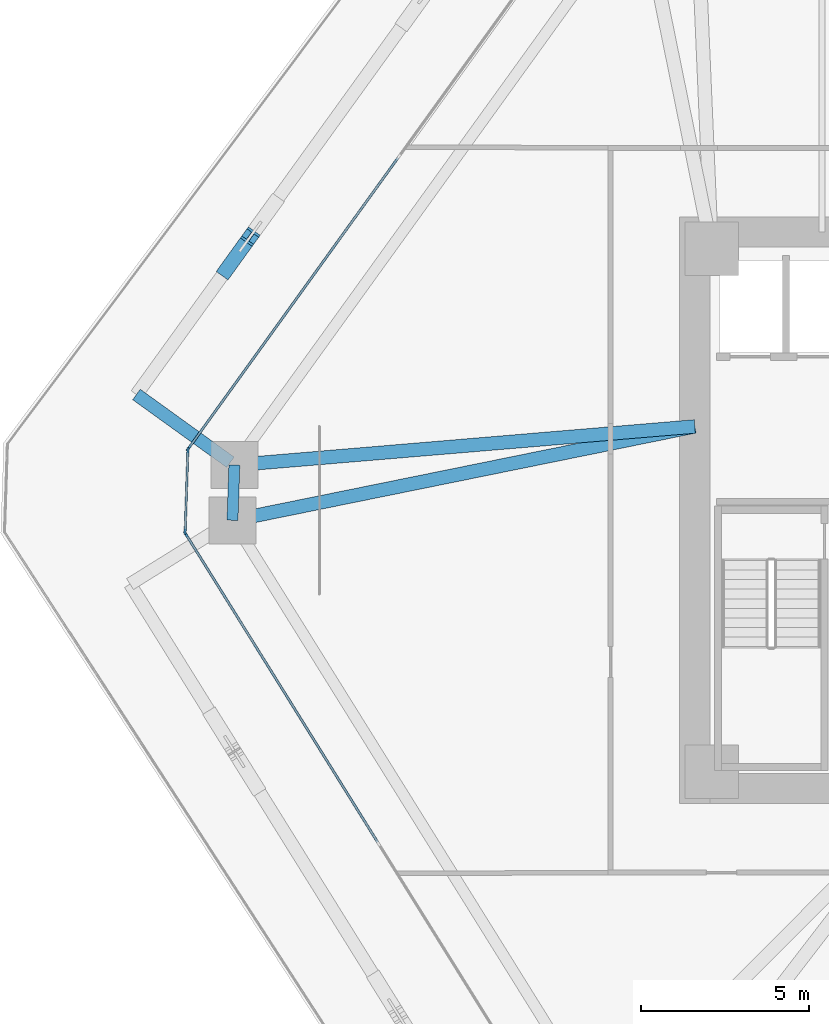
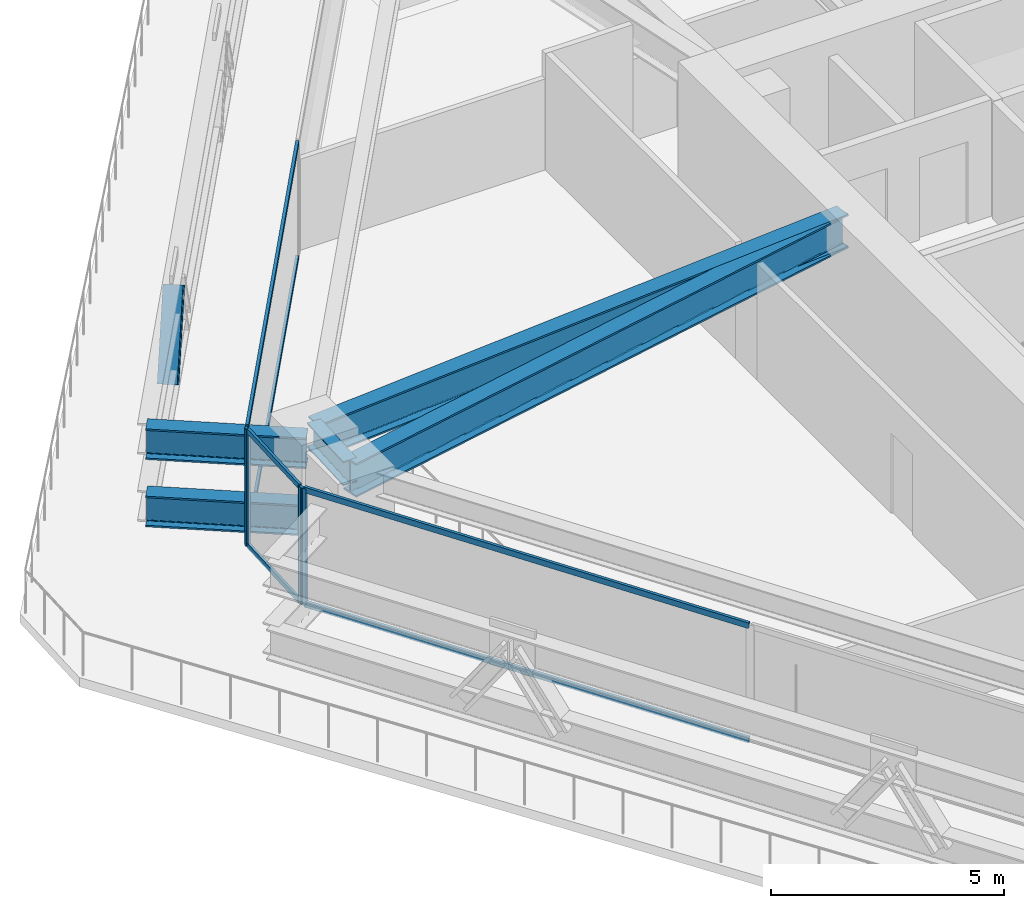
# One storey, part 4 of 20: 11 members, 5 beams, 3 elements without a shape of their own.
"""IFC4 building model written with IfcOpenShell, lengths in metres."""

from ifc_helpers import new_model, si_unit, direction, frame, origin, origin_2d, place, context, subcontext, project, spatial, rectangle, i_section, extrude, source, transform, mapped, material, layer, layer_set, material_profile, profile_set, type_object, type_shapes, element, aggregate, save


model = new_model("IFC4")

# Units and contexts
model_context = context("Model", 3, precision=1e-05, world=origin(), true_north=direction((0.0, 1.0)))
body_context = subcontext(model_context, "Body", "Model", "MODEL_VIEW")
ifc_project = project(units=[si_unit("LENGTHUNIT", "METRE"), si_unit("AREAUNIT", "SQUARE_METRE"), si_unit("VOLUMEUNIT", "CUBIC_METRE"), si_unit("PLANEANGLEUNIT", "RADIAN"), si_unit("MASSUNIT", "GRAM", prefix="KILO")], contexts=[model_context])

# Site, building, storey
site_placement = place(None, origin())
site = spatial("IfcSite", under=ifc_project, at=site_placement, CompositionType="ELEMENT")
building_placement = place(site_placement, origin())
building = spatial("IfcBuilding", under=site, at=building_placement, Name="Durnholm Broadcast Tower", CompositionType="ELEMENT")
storey_placement = place(building_placement, frame((0.0, 0.0, 32.39990234375)))
storey = spatial("IfcBuildingStorey", under=building, at=storey_placement, Name="L06", CompositionType="ELEMENT", Elevation=32.39990234375)

# Beams
ifc_material_1 = material(Name="Steel ASTM A992 Grade 50", Category="steel")
ifc_material_profile_1 = material_profile(ifc_material_1, i_section(OverallWidth=0.3291015625, OverallDepth=0.635009765625, WebThickness=0.017822265625, FlangeThickness=0.031005859375, FilletRadius=0.02783203125, at=origin_2d()), Name="W24X162")
ifc_profile_set_1 = profile_set([ifc_material_profile_1], Name="Steel ASTM A992 Grade 50")
beam_type_1 = type_object("IfcBeamType", Name="STL-SP-W24X162", PredefinedType="SPANDREL", material=ifc_profile_set_1)
shared_shape_1 = source(origin(), body_context, "Body", "SweptSolid", [
    extrude(i_section(OverallWidth=0.3291015625, OverallDepth=0.635009765625, WebThickness=0.017822265625, FlangeThickness=0.031005859375, FilletRadius=0.02783203125, at=origin_2d()), origin(), (0.0, 0.0, 1.0), 1.648193359375),
])
type_shapes(beam_type_1, [shared_shape_1])
beam_1_placement = place(storey_placement, frame((-24.0908203125, -0.2998046875, 2.7275390625), z_axis=(0.033921477804, 0.999424501072, 0.0), x_axis=(-0.999424501072, 0.033921477804, 0.0)))
element("IfcBeam", 1, at=beam_1_placement, inside=storey, type_object=beam_type_1, Name="L06 perimeter spandrel girder 02", PredefinedType="SPANDREL", context=body_context, shape_type="MappedRepresentation", body=[
    mapped(shared_shape_1, transform((0.0, 0.0, 0.0), x_axis=(1.0, 0.0, 0.0), y_axis=(0.0, 1.0, 0.0), z_axis=(0.0, 0.0, 1.0), scale=1.0)),
])
ifc_material_profile_2 = material_profile(ifc_material_1, i_section(OverallWidth=0.404052734375, OverallDepth=0.885009765625, WebThickness=0.0244140625, FlangeThickness=0.0439453125, FilletRadius=0.03564453125, at=origin_2d()), Name="W33X291")
ifc_profile_set_2 = profile_set([ifc_material_profile_2], Name="Steel ASTM A992 Grade 50")
beam_type_2 = type_object("IfcBeamType", Name="STL-GR-W33X291", PredefinedType="USERDEFINED", material=ifc_profile_set_2)
shared_shape_2 = source(origin(), body_context, "Body", "SweptSolid", [
    extrude(i_section(OverallWidth=0.404052734375, OverallDepth=0.885009765625, WebThickness=0.0244140625, FlangeThickness=0.0439453125, FilletRadius=0.03564453125, at=origin_2d()), origin(), (0.0, 0.0, 1.0), 14.072021484375),
])
beam_2_placement = place(storey_placement, frame((-10.300048828125, 2.5, 2.6025390625), z_axis=(-0.980007356767, -0.198961254225, 0.0), x_axis=(0.198961254225, -0.980007356767, 0.0)))
element("IfcBeam", 2, at=beam_2_placement, inside=storey, type_object=beam_type_2, Name="L06 radial primary floor girder 02", ObjectType="GIRDER", PredefinedType="USERDEFINED", context=body_context, shape_type="MappedRepresentation", body=[
    mapped(shared_shape_2, transform((0.0, 0.0, 0.0), x_axis=(1.0, 0.0, 0.0), y_axis=(0.0, 1.0, 0.0), z_axis=(0.0, 0.0, 1.0), scale=1.0)),
])
shared_shape_3 = source(origin(), body_context, "Body", "SweptSolid", [
    extrude(i_section(OverallWidth=0.404052734375, OverallDepth=0.885009765625, WebThickness=0.0244140625, FlangeThickness=0.0439453125, FilletRadius=0.03564453125, at=origin_2d()), origin(), (0.0, 0.0, 1.0), 13.783203125),
])
type_shapes(beam_type_2, [shared_shape_2, shared_shape_3])
beam_3_placement = place(storey_placement, frame((-10.300048828125, 2.5, 2.6025390625), z_axis=(-0.996497460403, -0.083623031579, 0.0), x_axis=(0.083623031579, -0.996497460403, 0.0)))
element("IfcBeam", 3, at=beam_3_placement, inside=storey, type_object=beam_type_2, Name="L06 radial primary floor girder 03", ObjectType="GIRDER", PredefinedType="USERDEFINED", context=body_context, shape_type="MappedRepresentation", body=[
    mapped(shared_shape_3, transform((0.0, 0.0, 0.0), x_axis=(1.0, 0.0, 0.0), y_axis=(0.0, 1.0, 0.0), z_axis=(0.0, 0.0, 1.0), scale=1.0)),
])

# Member
ifc_material_2 = material(Name="Steel ASTM A913 Grade 65", Category="steel")
ifc_material_profile_3 = material_profile(ifc_material_2, i_section(OverallWidth=0.43212890625, OverallDepth=0.497802734375, WebThickness=0.0556640625, FlangeThickness=0.0888671875, FilletRadius=0.030517578125, at=origin_2d()), Name="W14X500")
ifc_profile_set_3 = profile_set([ifc_material_profile_3], Name="Steel ASTM A913 Grade 65")
member_type_1 = type_object("IfcMemberType", Name="STL-DG-W14X500", PredefinedType="BRACE", material=ifc_profile_set_3)
shared_shape_4 = source(origin(), body_context, "Body", "SweptSolid", [
    extrude(i_section(OverallWidth=0.43212890625, OverallDepth=0.497802734375, WebThickness=0.0556640625, FlangeThickness=0.0888671875, FilletRadius=0.030517578125, at=origin_2d()), origin(), (0.0, 0.0, 1.0), 2.148193359375),
])
type_shapes(member_type_1, [shared_shape_4])
member_1_placement = place(storey_placement, frame((-24.281005859375, 7.161865234375, 0.550048828125), z_axis=(0.335845256058, 0.465864536237, 0.818644121618), x_axis=(-0.811185111535, 0.584789461963, 0.0)))
element("IfcMember", 4, at=member_1_placement, inside=storey, type_object=member_type_1, Name="L06 stand-off diagrid brace F5.D2.2", PredefinedType="BRACE", context=body_context, shape_type="MappedRepresentation", body=[
    mapped(shared_shape_4, transform((0.0, 0.0, 0.0), x_axis=(1.0, 0.0, 0.0), y_axis=(0.0, 1.0, 0.0), z_axis=(0.0, 0.0, 1.0), scale=1.0)),
])

# Beams
ifc_material_profile_4 = material_profile(ifc_material_1, i_section(OverallWidth=0.385009765625, OverallDepth=0.802978515625, WebThickness=0.023681640625, FlangeThickness=0.0419921875, FilletRadius=0.032958984375, at=origin_2d()), Name="W30X261")
ifc_profile_set_4 = profile_set([ifc_material_profile_4], Name="Steel ASTM A992 Grade 50")
beam_type_3 = type_object("IfcBeamType", Name="BM-EXO-TIE", PredefinedType="USERDEFINED", material=ifc_profile_set_4)
shared_shape_5 = source(origin(), body_context, "Body", "SweptSolid", [
    extrude(i_section(OverallWidth=0.385009765625, OverallDepth=0.802978515625, WebThickness=0.023681640625, FlangeThickness=0.0419921875, FilletRadius=0.032958984375, at=origin_2d()), origin(), (0.0, 0.0, 1.0), 3.455810546875),
])
type_shapes(beam_type_3, [shared_shape_5])
for number, where, z_axis, x_axis, name in (
    (5, (-24.15185546875, 1.431396484375, 0.550048828125), (-0.811133512552, 0.584861030344, 0.0), (-0.584861030344, -0.811133512552, 0.0), "L06 zone-base exoskeleton stand-off tie bracket F5.2"),
    (6, (-24.15185546875, 1.431396484375, 2.30859375), (-0.811133512552, 0.584861030344, 0.0), (-0.584861030344, -0.811133512552, 0.0), "L06 exoskeleton stand-off tie bracket F5.2"),
):
    element("IfcBeam", number, at=place(storey_placement, frame(where, z_axis=z_axis, x_axis=x_axis)), inside=storey, type_object=beam_type_3, Name=name, ObjectType="GIRDER", PredefinedType="USERDEFINED", context=body_context, shape_type="MappedRepresentation", body=[
        mapped(shared_shape_5, transform((0.0, 0.0, 0.0), x_axis=(1.0, 0.0, 0.0), y_axis=(0.0, 1.0, 0.0), z_axis=(0.0, 0.0, 1.0), scale=1.0)),
    ])

# Curtain wall, members
ifc_material_3 = material(Name="Aluminium and Solar Control IGU", Category="aluminium")
ifc_layer_1 = layer(ifc_material_3, 0.1650390625)
ifc_layer_set_1 = layer_set([ifc_layer_1], Name="Aluminium and Solar Control IGU")
curtain_wall_type_1 = type_object("IfcCurtainWallType", Name="CW-SYS-5", PredefinedType="NOTDEFINED", material=ifc_layer_set_1)
curtain_wall_1_placement = place(storey_placement, origin())
curtain_wall_1 = element("IfcCurtainWall", 7, at=curtain_wall_1_placement, inside=storey, type_object=curtain_wall_type_1, Name="L06 curtain wall CW-CORNER CW-L06-CRN-01", PredefinedType="NOTDEFINED")
ifc_material_4 = material(Name="Aluminium 6063-T6", Category="aluminium")
ifc_material_profile_5 = material_profile(ifc_material_4, rectangle(XDim=0.06494140625, YDim=0.1650390625, at=origin_2d()), Name="CWM65X165")
ifc_profile_set_5 = profile_set([ifc_material_profile_5], Name="Aluminium 6063-T6")
member_type_2 = type_object("IfcMemberType", Name="CW-SYS-5-MUL", PredefinedType="MULLION", material=ifc_profile_set_5)
shared_shape_6 = source(origin(), body_context, "Body", "SweptSolid", [
    extrude(rectangle(XDim=0.06494140625, YDim=0.1650390625, at=origin_2d()), origin(), (0.0, 0.0, 1.0), 3.06005859375),
])
type_shapes(member_type_2, [shared_shape_6])
member_2_placement = place(storey_placement, frame((-25.50341796875, -0.6455078125, 0.0), z_axis=(0.0, 0.0, 1.0), x_axis=(-0.999427277772, 0.033839569233, 0.0)))
member_2 = element("IfcMember", 8, at=member_2_placement, type_object=member_type_2, Name="CW-CORNER mullion 1", PredefinedType="MULLION", context=body_context, shape_type="MappedRepresentation", body=[
    mapped(shared_shape_6, transform((0.0, 0.0, 0.0), x_axis=(1.0, 0.0, 0.0), y_axis=(0.0, 1.0, 0.0), z_axis=(0.0, 0.0, 1.0), scale=1.0)),
])
member_3_placement = place(storey_placement, frame((-25.4208984375, 1.7880859375, 0.0), z_axis=(0.0, 0.0, 1.0), x_axis=(-0.999427277772, 0.033839569233, 0.0)))
member_3 = element("IfcMember", 9, at=member_3_placement, type_object=member_type_2, Name="CW-CORNER mullion 2", PredefinedType="MULLION", context=body_context, shape_type="MappedRepresentation", body=[
    mapped(shared_shape_6, transform((0.0, 0.0, 0.0), x_axis=(1.0, 0.0, 0.0), y_axis=(0.0, 1.0, 0.0), z_axis=(0.0, 0.0, 1.0), scale=1.0)),
])
ifc_material_profile_6 = material_profile(ifc_material_4, rectangle(XDim=0.06494140625, YDim=0.1298828125, at=origin_2d()), Name="CWT65X130")
ifc_profile_set_6 = profile_set([ifc_material_profile_6], Name="Aluminium 6063-T6")
member_type_3 = type_object("IfcMemberType", Name="CW-SYS-5-TRN", PredefinedType="USERDEFINED", material=ifc_profile_set_6)
shared_shape_7 = source(origin(), body_context, "Body", "SweptSolid", [
    extrude(rectangle(XDim=0.06494140625, YDim=0.1298828125, at=origin_2d()), origin(), (0.0, 0.0, 1.0), 2.3701171875),
])
type_shapes(member_type_3, [shared_shape_7])
member_4_placement = place(storey_placement, frame((-25.502197265625, -0.613037109375, 0.03271484375), z_axis=(0.033788158898, 0.999429017148, 0.0), x_axis=(-0.999429017148, 0.033788158898, 0.0)))
member_4 = element("IfcMember", 10, at=member_4_placement, type_object=member_type_3, Name="CW-CORNER transom 1.1", ObjectType="TRANSOM", PredefinedType="USERDEFINED", context=body_context, shape_type="MappedRepresentation", body=[
    mapped(shared_shape_7, transform((0.0, 0.0, 0.0), x_axis=(1.0, 0.0, 0.0), y_axis=(0.0, 1.0, 0.0), z_axis=(0.0, 0.0, 1.0), scale=1.0)),
])
member_5_placement = place(storey_placement, frame((-25.502197265625, -0.613037109375, 3.027587890625), z_axis=(0.033788158898, 0.999429017148, 0.0), x_axis=(-0.999429017148, 0.033788158898, 0.0)))
member_5 = element("IfcMember", 11, at=member_5_placement, type_object=member_type_3, Name="CW-CORNER transom 1.2", ObjectType="TRANSOM", PredefinedType="USERDEFINED", context=body_context, shape_type="MappedRepresentation", body=[
    mapped(shared_shape_7, transform((0.0, 0.0, 0.0), x_axis=(1.0, 0.0, 0.0), y_axis=(0.0, 1.0, 0.0), z_axis=(0.0, 0.0, 1.0), scale=1.0)),
])
aggregate(curtain_wall_1, [member_2, member_3, member_4, member_5])

# Curtain wall, member
ifc_layer_2 = layer(ifc_material_3, 0.18994140625)
ifc_layer_set_2 = layer_set([ifc_layer_2], Name="Aluminium and Solar Control IGU")
curtain_wall_type_2 = type_object("IfcCurtainWallType", Name="CW-SYS-3", PredefinedType="NOTDEFINED", material=ifc_layer_set_2)
curtain_wall_2_placement = place(storey_placement, origin())
curtain_wall_2 = element("IfcCurtainWall", 12, at=curtain_wall_2_placement, inside=storey, type_object=curtain_wall_type_2, Name="L06 curtain wall CW-Z12-VIS CW-L06-F02", PredefinedType="NOTDEFINED")
ifc_material_profile_7 = material_profile(ifc_material_4, rectangle(XDim=0.070068359375, YDim=0.18994140625, at=origin_2d()), Name="CWM70X190")
ifc_profile_set_7 = profile_set([ifc_material_profile_7], Name="Aluminium 6063-T6")
member_type_4 = type_object("IfcMemberType", Name="CW-SYS-3-MUL", PredefinedType="MULLION", material=ifc_profile_set_7)
shared_shape_8 = source(origin(), body_context, "Body", "SweptSolid", [
    extrude(rectangle(XDim=0.070068359375, YDim=0.18994140625, at=origin_2d()), origin(), (0.0, 0.0, 1.0), 3.06005859375),
])
type_shapes(member_type_4, [shared_shape_8])
member_6_placement = place(storey_placement, frame((-25.3994140625, 1.848876953125, 0.0), z_axis=(0.0, 0.0, 1.0), x_axis=(-0.81116057493, 0.584823496176, 0.0)))
member_6 = element("IfcMember", 13, at=member_6_placement, type_object=member_type_4, Name="CW-Z12-VIS mullion 1", PredefinedType="MULLION", context=body_context, shape_type="MappedRepresentation", body=[
    mapped(shared_shape_8, transform((0.0, 0.0, 0.0), x_axis=(1.0, 0.0, 0.0), y_axis=(0.0, 1.0, 0.0), z_axis=(0.0, 0.0, 1.0), scale=1.0)),
])

curtain_wall_3_placement = place(storey_placement, origin())
curtain_wall_3 = element("IfcCurtainWall", 14, at=curtain_wall_3_placement, inside=storey, type_object=curtain_wall_type_2, Name="L06 curtain wall CW-Z12-VIS CW-L06-F12", PredefinedType="NOTDEFINED")
member_7_placement = place(storey_placement, frame((-25.48583984375, -0.707763671875, 0.0), z_axis=(0.0, 0.0, 1.0), x_axis=(-0.848875785503, -0.528592376777, 0.0)))
member_7 = element("IfcMember", 15, at=member_7_placement, type_object=member_type_4, Name="CW-Z12-VIS mullion 3", PredefinedType="MULLION", context=body_context, shape_type="MappedRepresentation", body=[
    mapped(shared_shape_8, transform((0.0, 0.0, 0.0), x_axis=(1.0, 0.0, 0.0), y_axis=(0.0, 1.0, 0.0), z_axis=(0.0, 0.0, 1.0), scale=1.0)),
])

# Member
ifc_material_profile_8 = material_profile(ifc_material_4, rectangle(XDim=0.070068359375, YDim=0.14990234375, at=origin_2d()), Name="CWT70X150")
ifc_profile_set_8 = profile_set([ifc_material_profile_8], Name="Aluminium 6063-T6")
member_type_5 = type_object("IfcMemberType", Name="CW-SYS-3-TRN", PredefinedType="USERDEFINED", material=ifc_profile_set_8)
shared_shape_9 = source(origin(), body_context, "Body", "SweptSolid", [
    extrude(rectangle(XDim=0.070068359375, YDim=0.14990234375, at=origin_2d()), origin(), (0.0, 0.0, 1.0), 10.6455078125),
])
member_8_placement = place(storey_placement, frame((-25.37890625, 1.877197265625, 0.03515625), z_axis=(0.584812103659, 0.811168788486, 0.0), x_axis=(-0.811168788486, 0.584812103659, 0.0)))
member_8 = element("IfcMember", 16, at=member_8_placement, type_object=member_type_5, Name="CW-Z12-VIS transom 1.1", ObjectType="TRANSOM", PredefinedType="USERDEFINED", context=body_context, shape_type="MappedRepresentation", body=[
    mapped(shared_shape_9, transform((0.0, 0.0, 0.0), x_axis=(1.0, 0.0, 0.0), y_axis=(0.0, 1.0, 0.0), z_axis=(0.0, 0.0, 1.0), scale=1.0)),
])

member_9_placement = place(storey_placement, frame((-25.37890625, 1.877197265625, 3.025146484375), z_axis=(0.584812103659, 0.811168788486, 0.0), x_axis=(-0.811168788486, 0.584812103659, 0.0)))
member_9 = element("IfcMember", 17, at=member_9_placement, type_object=member_type_5, Name="CW-Z12-VIS transom 1.2", ObjectType="TRANSOM", PredefinedType="USERDEFINED", context=body_context, shape_type="MappedRepresentation", body=[
    mapped(shared_shape_9, transform((0.0, 0.0, 0.0), x_axis=(1.0, 0.0, 0.0), y_axis=(0.0, 1.0, 0.0), z_axis=(0.0, 0.0, 1.0), scale=1.0)),
])

aggregate(curtain_wall_2, [member_6, member_8, member_9])

shared_shape_10 = source(origin(), body_context, "Body", "SweptSolid", [
    extrude(rectangle(XDim=0.070068359375, YDim=0.14990234375, at=origin_2d()), origin(), (0.0, 0.0, 1.0), 10.796630859375),
])
type_shapes(member_type_5, [shared_shape_9, shared_shape_10])
member_10_placement = place(storey_placement, frame((-19.760498046875, -9.902587890625, 0.03515625), z_axis=(-0.528575362968, 0.848886379714, 0.0), x_axis=(-0.848886379714, -0.528575362968, 0.0)))
member_10 = element("IfcMember", 18, at=member_10_placement, type_object=member_type_5, Name="CW-Z12-VIS transom 2.1", ObjectType="TRANSOM", PredefinedType="USERDEFINED", context=body_context, shape_type="MappedRepresentation", body=[
    mapped(shared_shape_10, transform((0.0, 0.0, 0.0), x_axis=(1.0, 0.0, 0.0), y_axis=(0.0, 1.0, 0.0), z_axis=(0.0, 0.0, 1.0), scale=1.0)),
])

member_11_placement = place(storey_placement, frame((-19.760498046875, -9.902587890625, 3.025146484375), z_axis=(-0.528575362968, 0.848886379714, 0.0), x_axis=(-0.848886379714, -0.528575362968, 0.0)))
member_11 = element("IfcMember", 19, at=member_11_placement, type_object=member_type_5, Name="CW-Z12-VIS transom 2.2", ObjectType="TRANSOM", PredefinedType="USERDEFINED", context=body_context, shape_type="MappedRepresentation", body=[
    mapped(shared_shape_10, transform((0.0, 0.0, 0.0), x_axis=(1.0, 0.0, 0.0), y_axis=(0.0, 1.0, 0.0), z_axis=(0.0, 0.0, 1.0), scale=1.0)),
])

aggregate(curtain_wall_3, [member_7, member_10, member_11])

save(model, "model.ifc")
